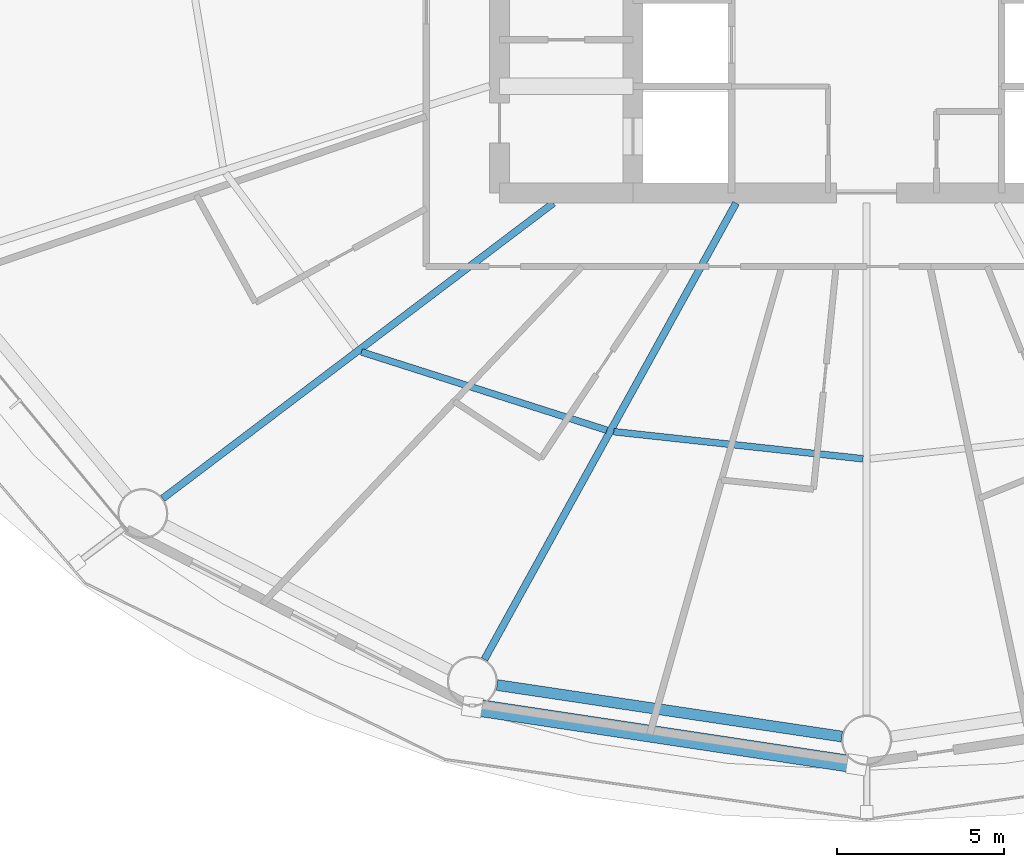
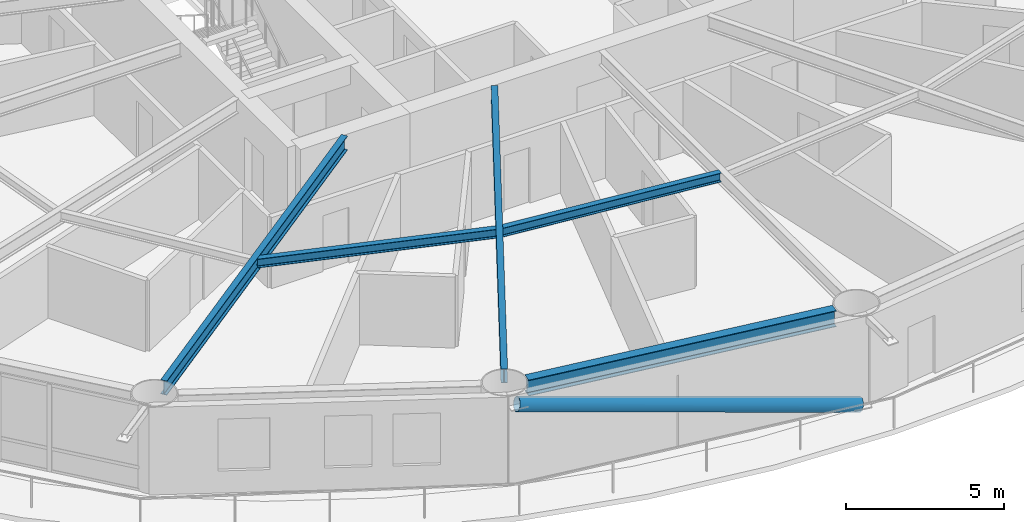
# One storey, part 3 of 26: 5 beams, 1 member.
"""IFC4 building model written with IfcOpenShell, lengths in metres."""

from ifc_helpers import new_model, si_unit, direction, frame, origin, origin_2d, place, context, subcontext, project, spatial, hollow_circle, i_section, extrude, material, material_profile, profile_set, type_object, element, save


model = new_model("IFC4")

# Units and contexts
model_context = context("Model", 3, precision=1e-05, world=origin(), true_north=direction((0.0, 1.0)))
body_context = subcontext(model_context, "Body", "Model", "MODEL_VIEW")
ifc_project = project(units=[si_unit("LENGTHUNIT", "METRE"), si_unit("AREAUNIT", "SQUARE_METRE"), si_unit("VOLUMEUNIT", "CUBIC_METRE"), si_unit("PLANEANGLEUNIT", "RADIAN"), si_unit("MASSUNIT", "GRAM", prefix="KILO")], contexts=[model_context])

# Site, building, storey
site_placement = place(None, origin())
site = spatial("IfcSite", under=ifc_project, at=site_placement, CompositionType="ELEMENT")
building_placement = place(site_placement, origin())
building = spatial("IfcBuilding", under=site, at=building_placement, Name="Sarneth Arch Tower", CompositionType="ELEMENT")
storey_placement = place(building_placement, frame((0.0, 0.0, 35.39990234375)))
storey = spatial("IfcBuildingStorey", under=building, at=storey_placement, Name="L07", CompositionType="ELEMENT", Elevation=35.39990234375)

# Beams
ifc_material_1 = material(Name="Steel S355", Category="steel")
ifc_material_profile_1 = material_profile(ifc_material_1, i_section(OverallWidth=0.202880859375, OverallDepth=0.346923828125, WebThickness=0.0078125, FlangeThickness=0.013427734375, FilletRadius=0.014892578125, at=origin_2d()), Name="W360x64")
ifc_profile_set_1 = profile_set([ifc_material_profile_1], Name="Steel S355")
beam_type_1 = type_object("IfcBeamType", Name="BM-JOIST-360C", PredefinedType="JOIST", material=ifc_profile_set_1)
beam_1_placement = place(storey_placement, frame((32.857666015625, 30.441162109375, 3.20654296875), z_axis=(0.95266836992, -0.304011475036, 0.0), x_axis=(0.304011475036, 0.95266836992, 0.0)))
element("IfcBeam", 1, at=beam_1_placement, inside=storey, type_object=beam_type_1, Name="L07 Secondary floor joist 11", PredefinedType="JOIST", context=body_context, shape_type="SweptSolid", body=[
    extrude(i_section(OverallWidth=0.202880859375, OverallDepth=0.346923828125, WebThickness=0.0078125, FlangeThickness=0.013427734375, FilletRadius=0.014892578125, at=origin_2d()), origin(), (0.0, 0.0, 1.0), 7.720703125),
])
beam_2_placement = place(storey_placement, frame((40.421142578125, 28.0498046875, 3.20654296875), z_axis=(0.994129966112, -0.108192469602, 0.0), x_axis=(0.108192469602, 0.994129966112, 0.0)))
element("IfcBeam", 2, at=beam_2_placement, inside=storey, type_object=beam_type_1, Name="L07 Secondary floor joist 12", PredefinedType="JOIST", context=body_context, shape_type="SweptSolid", body=[
    extrude(i_section(OverallWidth=0.202880859375, OverallDepth=0.346923828125, WebThickness=0.0078125, FlangeThickness=0.013427734375, FilletRadius=0.014892578125, at=origin_2d()), origin(), (0.0, 0.0, 1.0), 7.5166015625),
])
ifc_material_2 = material(Name="Steel S355", Category="steel")
ifc_material_profile_2 = material_profile(ifc_material_2, i_section(OverallWidth=0.214111328125, OverallDepth=0.549072265625, WebThickness=0.0146484375, FlangeThickness=0.023681640625, FilletRadius=0.01806640625, at=origin_2d()), Name="W530x138")
ifc_profile_set_2 = profile_set([ifc_material_profile_2], Name="Steel S355")
beam_type_2 = type_object("IfcBeamType", Name="BM-RAD-530A", PredefinedType="BEAM", material=ifc_profile_set_2)
beam_3_placement = place(storey_placement, frame((38.609619140625, 34.89990234375, 3.105712890625), z_axis=(-0.79765464731, -0.603114469753, 0.0), x_axis=(0.603114469753, -0.79765464731, 0.0)))
element("IfcBeam", 3, at=beam_3_placement, inside=storey, type_object=beam_type_2, Name="L07 Radial floor girder 11", PredefinedType="BEAM", context=body_context, shape_type="SweptSolid", body=[
    extrude(i_section(OverallWidth=0.214111328125, OverallDepth=0.549072265625, WebThickness=0.0146484375, FlangeThickness=0.023681640625, FilletRadius=0.01806640625, at=origin_2d()), origin(), (0.0, 0.0, 1.0), 14.677978515625),
])
beam_4_placement = place(storey_placement, frame((44.08544921875, 34.89990234375, 3.105712890625), z_axis=(-0.482841370957, -0.875707833979, 0.0), x_axis=(0.875707833979, -0.482841370957, 0.0)))
element("IfcBeam", 4, at=beam_4_placement, inside=storey, type_object=beam_type_2, Name="L07 Radial floor girder 12", PredefinedType="BEAM", context=body_context, shape_type="SweptSolid", body=[
    extrude(i_section(OverallWidth=0.214111328125, OverallDepth=0.549072265625, WebThickness=0.0146484375, FlangeThickness=0.023681640625, FilletRadius=0.01806640625, at=origin_2d()), origin(), (0.0, 0.0, 1.0), 15.618408203125),
])
ifc_material_3 = material(Name="Steel S355", Category="steel")
ifc_material_profile_3 = material_profile(ifc_material_3, i_section(OverallWidth=0.326904296875, OverallDepth=0.6220703125, WebThickness=0.015380859375, FlangeThickness=0.0244140625, FilletRadius=0.01904296875, at=origin_2d()), Name="W610x195")
ifc_profile_set_3 = profile_set([ifc_material_profile_3], Name="Steel S355")
beam_type_3 = type_object("IfcBeamType", Name="BM-SPAN-610A", PredefinedType="SPANDREL", material=ifc_profile_set_3)
beam_5_placement = place(storey_placement, frame((36.923828125, 20.455078125, 3.069091796875), z_axis=(0.989020169581, -0.147780594675, 0.0), x_axis=(0.147780594675, 0.989020169581, 0.0)))
element("IfcBeam", 5, at=beam_5_placement, inside=storey, type_object=beam_type_3, Name="L07 Perimeter spandrel beam 12", PredefinedType="SPANDREL", context=body_context, shape_type="SweptSolid", body=[
    extrude(i_section(OverallWidth=0.326904296875, OverallDepth=0.6220703125, WebThickness=0.015380859375, FlangeThickness=0.0244140625, FilletRadius=0.01904296875, at=origin_2d()), origin(), (0.0, 0.0, 1.0), 10.44921875),
])

# Member
ifc_material_4 = material(Name="Steel S355", Category="steel")
ifc_material_profile_4 = material_profile(ifc_material_4, hollow_circle(Radius=0.25390625, WallThickness=0.01611328125, at=origin_2d()), Name="CHS508x16")
ifc_profile_set_4 = profile_set([ifc_material_profile_4], Name="Steel S355")
member_type = type_object("IfcMemberType", Name="MEM-DIAG-BR1", PredefinedType="BRACE", material=ifc_profile_set_4)
member_placement = place(storey_placement, frame((47.703369140625, 18.064697265625, 0.02001953125), z_axis=(-0.957875899759, 0.144316613483, 0.248287083301), x_axis=(-0.1489817545, -0.988839944999, 0.0)))
element("IfcMember", 6, at=member_placement, inside=storey, type_object=member_type, Name="L07 Perimeter frame diagonal 12", PredefinedType="BRACE", context=body_context, shape_type="SweptSolid", body=[
    extrude(hollow_circle(Radius=0.25390625, WallThickness=0.01611328125, at=origin_2d()), origin(), (0.0, 0.0, 1.0), 12.02978515625),
])

save(model, "model.ifc")
